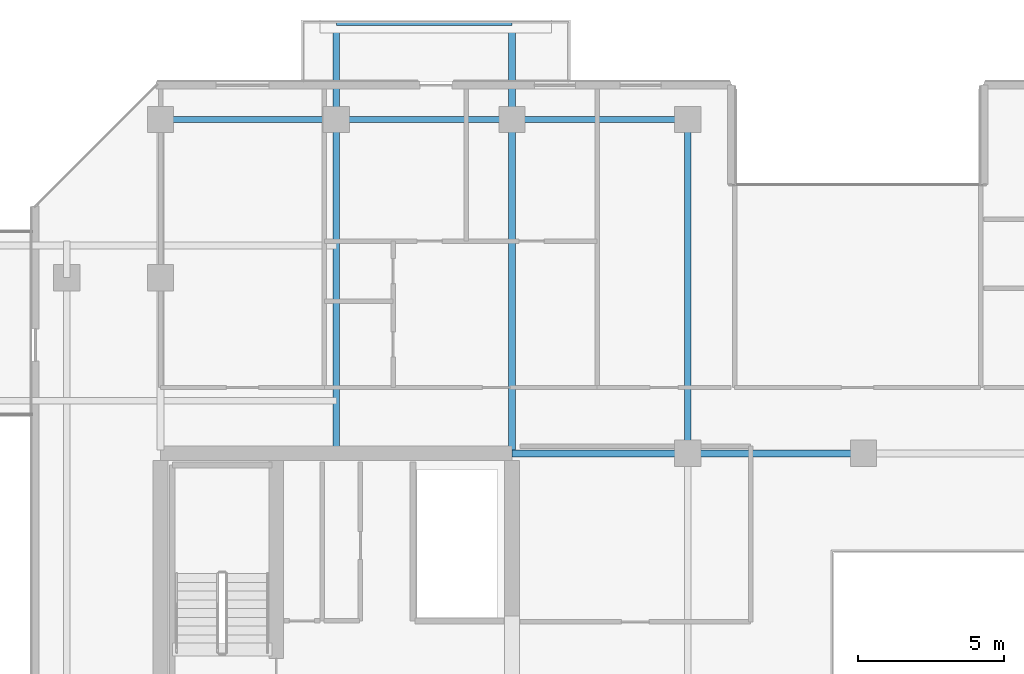
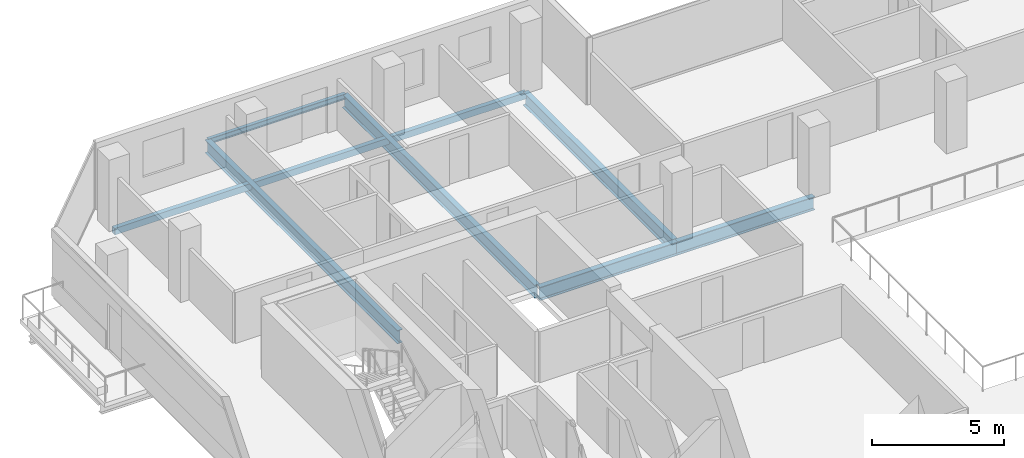
# One storey, part 9 of 29: 9 beams.
"""IFC4 building model written with IfcOpenShell, lengths in metres."""

from ifc_helpers import new_model, si_unit, direction, frame, origin, origin_2d, place, context, subcontext, project, spatial, hollow_rectangle, i_section, extrude, material, material_profile, profile_set, type_object, element, save


model = new_model("IFC4")

# Units and contexts
model_context = context("Model", 3, precision=1e-05, world=origin(), true_north=direction((0.0, 1.0)))
body_context = subcontext(model_context, "Body", "Model", "MODEL_VIEW")
ifc_project = project(units=[si_unit("LENGTHUNIT", "METRE"), si_unit("AREAUNIT", "SQUARE_METRE"), si_unit("VOLUMEUNIT", "CUBIC_METRE"), si_unit("PLANEANGLEUNIT", "RADIAN"), si_unit("MASSUNIT", "GRAM", prefix="KILO")], contexts=[model_context])

# Site, building, storey
site_placement = place(None, origin())
site = spatial("IfcSite", under=ifc_project, at=site_placement, CompositionType="ELEMENT")
building_placement = place(site_placement, origin())
building = spatial("IfcBuilding", under=site, at=building_placement, Name="Tanjung Sevakor Pilgrim Tower", CompositionType="ELEMENT")
storey_placement = place(building_placement, frame((0.0, 0.0, 151.800048828125)))
storey = spatial("IfcBuildingStorey", under=building, at=storey_placement, Name="L42", CompositionType="ELEMENT", Elevation=151.800048828125)

# Beams
ifc_material_1 = material(Name="Steel S355J2", Category="steel")
ifc_material_profile_1 = material_profile(ifc_material_1, i_section(OverallWidth=0.230224609375, OverallDepth=0.6171875, WebThickness=0.01318359375, FlangeThickness=0.022216796875, FilletRadius=0.0126953125, at=origin_2d()))
ifc_profile_set_1 = profile_set([ifc_material_profile_1], Name="Steel S355J2")
beam_type_1 = type_object("IfcBeamType", Name="BM-B-G3-UB_610x229x140", PredefinedType="BEAM", material=ifc_profile_set_1)
for number, where, z_axis, x_axis, name in (
    (1, (36.0, 42.60009765625, -0.528564453125), (1.0, 0.0, 0.0), (0.0, 1.0, 0.0), "L42 Primary Floor Girder MAIN Y426-01"),
    (2, (42.0, 42.60009765625, -0.528564453125), (1.0, 0.0, 0.0), (0.0, 1.0, 0.0), "L42 Primary Floor Girder MAIN Y426-02"),
):
    element("IfcBeam", number, at=place(storey_placement, frame(where, z_axis=z_axis, x_axis=x_axis)), inside=storey, type_object=beam_type_1, Name=name, PredefinedType="BEAM", context=body_context, shape_type="SweptSolid", body=[
        extrude(i_section(OverallWidth=0.230224609375, OverallDepth=0.6171875, WebThickness=0.01318359375, FlangeThickness=0.022216796875, FilletRadius=0.0126953125, at=origin_2d()), origin(), (0.0, 0.0, 1.0), 6.0),
    ])
ifc_material_2 = material(Name="Steel S355J2", Category="steel")
ifc_material_profile_2 = material_profile(ifc_material_2, i_section(OverallWidth=0.22900390625, OverallDepth=0.6123046875, WebThickness=0.011962890625, FlangeThickness=0.01953125, FilletRadius=0.0126953125, at=origin_2d()))
ifc_profile_set_2 = profile_set([ifc_material_profile_2], Name="Steel S355J2")
beam_type_2 = type_object("IfcBeamType", Name="BM-B-G4-UB_610x229x125", PredefinedType="BEAM", material=ifc_profile_set_2)
for number, where, z_axis, x_axis, name in (
    (3, (30.0, 42.715087890625, -0.526123046875), (0.0, 1.0, 0.0), (-1.0, 0.0, 0.0), "L42 Balcony Cantilever Beam MAIN-N1-1"),
    (4, (36.0, 42.715087890625, -0.526123046875), (0.0, 1.0, 0.0), (-1.0, 0.0, 0.0), "L42 Balcony Cantilever Beam MAIN-N1-2"),
):
    element("IfcBeam", number, at=place(storey_placement, frame(where, z_axis=z_axis, x_axis=x_axis)), inside=storey, type_object=beam_type_2, Name=name, PredefinedType="BEAM", context=body_context, shape_type="SweptSolid", body=[
        extrude(i_section(OverallWidth=0.22900390625, OverallDepth=0.6123046875, WebThickness=0.011962890625, FlangeThickness=0.01953125, FilletRadius=0.0126953125, at=origin_2d()), origin(), (0.0, 0.0, 1.0), 14.56494140625),
    ])
beam_1_placement = place(storey_placement, frame((42.0, 42.60009765625, -0.526123046875), z_axis=(0.0, 1.0, 0.0), x_axis=(-1.0, 0.0, 0.0)))
element("IfcBeam", 5, at=beam_1_placement, inside=storey, type_object=beam_type_2, Name="L42 MAIN Girder 005", PredefinedType="BEAM", context=body_context, shape_type="SweptSolid", body=[
    extrude(i_section(OverallWidth=0.22900390625, OverallDepth=0.6123046875, WebThickness=0.011962890625, FlangeThickness=0.01953125, FilletRadius=0.0126953125, at=origin_2d()), origin(), (0.0, 0.0, 1.0), 11.39990234375),
])
ifc_material_3 = material(Name="Steel S355J2", Category="steel")
ifc_material_profile_3 = material_profile(ifc_material_3, i_section(OverallWidth=0.146484375, OverallDepth=0.256103515625, WebThickness=0.00634765625, FlangeThickness=0.010986328125, FilletRadius=0.007568359375, at=origin_2d()))
ifc_profile_set_3 = profile_set([ifc_material_profile_3], Name="Steel S355J2")
beam_type_3 = type_object("IfcBeamType", Name="BM-B-J6-UB_254x146x37", PredefinedType="JOIST", material=ifc_profile_set_3)
beam_2_placement = place(storey_placement, frame((30.0, 57.280029296875, -0.328125), z_axis=(1.0, 0.0, 0.0), x_axis=(0.0, 1.0, 0.0)))
element("IfcBeam", 6, at=beam_2_placement, inside=storey, type_object=beam_type_3, Name="L42 Balcony Rim Tie MAIN-N1", PredefinedType="JOIST", context=body_context, shape_type="SweptSolid", body=[
    extrude(i_section(OverallWidth=0.146484375, OverallDepth=0.256103515625, WebThickness=0.00634765625, FlangeThickness=0.010986328125, FilletRadius=0.007568359375, at=origin_2d()), origin(), (0.0, 0.0, 1.0), 6.0),
])
ifc_material_4 = material(Name="Steel S355J2", Category="steel")
ifc_material_profile_4 = material_profile(ifc_material_4, hollow_rectangle(XDim=0.199951171875, YDim=0.300048828125, WallThickness=0.012451171875, at=origin_2d()))
ifc_profile_set_4 = profile_set([ifc_material_profile_4], Name="Steel S355J2")
beam_type_4 = type_object("IfcBeamType", Name="BM-B-SP3-RHS_300x200x12.5", PredefinedType="SPANDREL", material=ifc_profile_set_4)
for number, where, z_axis, x_axis, name in (
    (7, (24.0, 54.0, -0.3701171875), (1.0, 0.0, 0.0), (0.0, 1.0, 0.0), "L42 Spandrel MAIN N-02"),
    (8, (30.0, 54.0, -0.3701171875), (1.0, 0.0, 0.0), (0.0, 1.0, 0.0), "L42 Spandrel MAIN N-04"),
    (9, (36.0, 54.0, -0.3701171875), (1.0, 0.0, 0.0), (0.0, 1.0, 0.0), "L42 Spandrel MAIN N-06"),
):
    element("IfcBeam", number, at=place(storey_placement, frame(where, z_axis=z_axis, x_axis=x_axis)), inside=storey, type_object=beam_type_4, Name=name, PredefinedType="SPANDREL", context=body_context, shape_type="SweptSolid", body=[
        extrude(hollow_rectangle(XDim=0.199951171875, YDim=0.300048828125, WallThickness=0.012451171875, at=origin_2d()), origin(), (0.0, 0.0, 1.0), 6.0),
    ])

save(model, "model.ifc")
